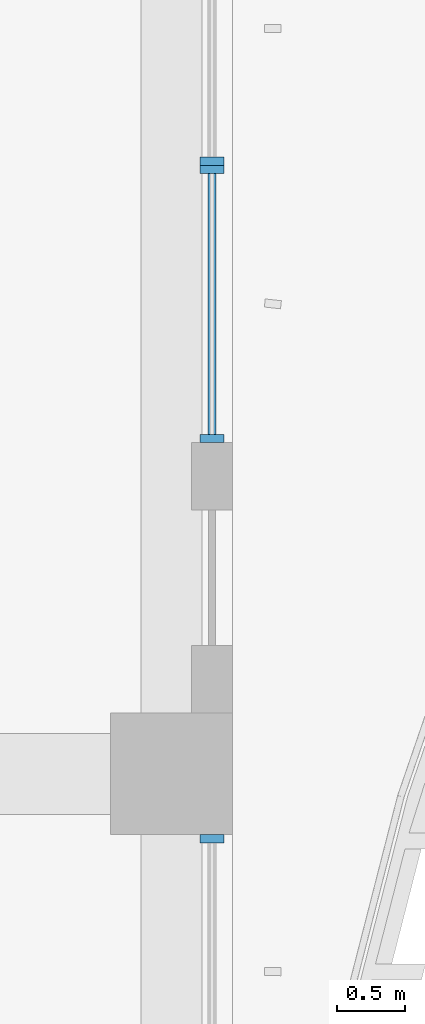
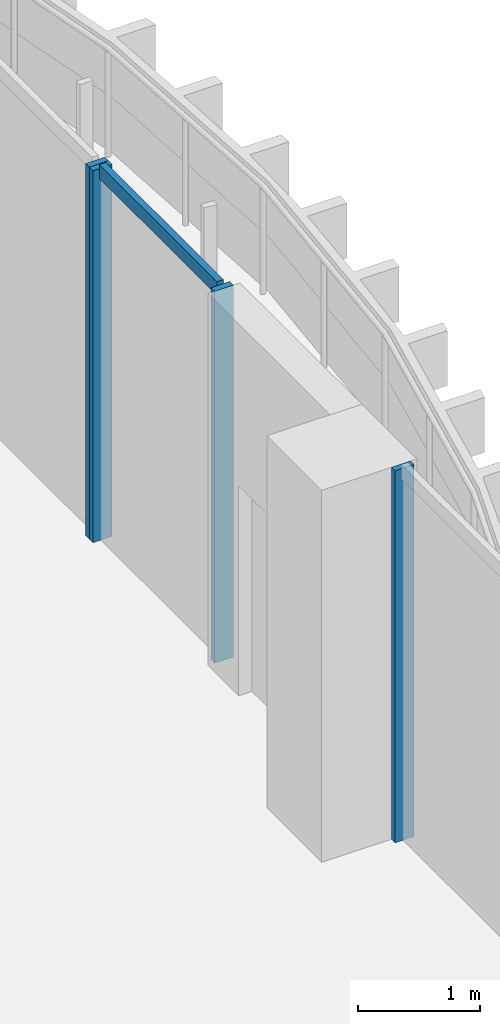
# One storey, part 6 of 27: 5 members, 3 elements without a shape of their own.
"""IFC4 building model written with IfcOpenShell, lengths in metres."""

from ifc_helpers import new_model, si_unit, direction, frame, origin, origin_2d, place, context, subcontext, project, spatial, rectangle, extrude, source, transform, mapped, material, material_profile, profile_set, type_object, element, aggregate, save


model = new_model("IFC4")

# Units and contexts
model_context = context("Model", 3, precision=1e-05, world=origin(), true_north=direction((0.0, 1.0)))
body_context = subcontext(model_context, "Body", "Model", "MODEL_VIEW")
ifc_project = project(units=[si_unit("LENGTHUNIT", "METRE"), si_unit("AREAUNIT", "SQUARE_METRE"), si_unit("VOLUMEUNIT", "CUBIC_METRE"), si_unit("PLANEANGLEUNIT", "RADIAN"), si_unit("MASSUNIT", "GRAM", prefix="KILO")], contexts=[model_context])

# Site, building, storey
site_placement = place(None, origin())
site = spatial("IfcSite", under=ifc_project, at=site_placement, CompositionType="ELEMENT")
building_placement = place(site_placement, origin())
building = spatial("IfcBuilding", under=site, at=building_placement, Name="Kilnfold Tower and Market Hall", CompositionType="ELEMENT")
storey_placement = place(building_placement, frame((0.0, 0.0, 47.0)))
storey = spatial("IfcBuildingStorey", under=building, at=storey_placement, Name="L10", CompositionType="ELEMENT", Elevation=47.0)

# Curtain wall, member
ifc_material_1 = material(Name="Aluminium and double glazing", Category="aluminium")
curtain_wall_type = type_object("IfcCurtainWallType", Name="CW OF1 VALLEY GLAZING", PredefinedType="NOTDEFINED", material=ifc_material_1)
curtain_wall_1_placement = place(storey_placement, origin())
curtain_wall_1 = element("IfcCurtainWall", 1, at=curtain_wall_1_placement, inside=storey, type_object=curtain_wall_type, Name="Curtain wall CW1 L10 E", PredefinedType="NOTDEFINED")
ifc_material_2 = material(Name="Aluminium", Category="aluminium")
ifc_material_profile_1 = material_profile(ifc_material_2, rectangle(XDim=0.06005859375, YDim=0.179931640625, at=origin_2d()), Name="MULLION 60x180")
ifc_profile_set_1 = profile_set([ifc_material_profile_1], Name="Aluminium")
member_type_1 = type_object("IfcMemberType", Name="MULLION 60X180", PredefinedType="MULLION", material=ifc_profile_set_1)
shared_shape_1 = source(origin(), body_context, "Body", "SweptSolid", [
    extrude(rectangle(XDim=0.06005859375, YDim=0.179931640625, at=origin_2d()), origin(), (0.0, 0.0, 1.0), 3.719970703125),
])
member_1_placement = place(storey_placement, frame((27.85009765625, -1.47998046875, 0.0), z_axis=(0.0, 0.0, 1.0), x_axis=(0.0, 1.0, 0.0)))
member_1 = element("IfcMember", 2, at=member_1_placement, type_object=member_type_1, Name="CW1 mullion 2", PredefinedType="MULLION", context=body_context, shape_type="MappedRepresentation", body=[
    mapped(shared_shape_1, transform((0.0, 0.0, 0.0))),
])
aggregate(curtain_wall_1, [member_1])

# Curtain wall, members
curtain_wall_2_placement = place(storey_placement, origin())
curtain_wall_2 = element("IfcCurtainWall", 3, at=curtain_wall_2_placement, inside=storey, type_object=curtain_wall_type, Name="Curtain wall CW1 L10 E", PredefinedType="NOTDEFINED")
member_2_placement = place(storey_placement, frame((27.85009765625, 1.47998046875, 0.0), z_axis=(0.0, 0.0, 1.0), x_axis=(0.0, 1.0, 0.0)))
member_2 = element("IfcMember", 4, at=member_2_placement, type_object=member_type_1, Name="CW1 mullion 1", PredefinedType="MULLION", context=body_context, shape_type="MappedRepresentation", body=[
    mapped(shared_shape_1, transform((0.0, 0.0, 0.0))),
])
member_3_placement = place(storey_placement, frame((27.85009765625, 3.469970703125, 0.0), z_axis=(0.0, 0.0, 1.0), x_axis=(0.0, 1.0, 0.0)))
member_3 = element("IfcMember", 5, at=member_3_placement, type_object=member_type_1, Name="CW1 mullion 2", PredefinedType="MULLION", context=body_context, shape_type="MappedRepresentation", body=[
    mapped(shared_shape_1, transform((0.0, 0.0, 0.0))),
])

# Curtain wall, member
curtain_wall_3_placement = place(storey_placement, origin())
curtain_wall_3 = element("IfcCurtainWall", 6, at=curtain_wall_3_placement, inside=storey, type_object=curtain_wall_type, Name="Curtain wall CW1 L10 E", PredefinedType="NOTDEFINED")
member_4_placement = place(storey_placement, frame((27.85009765625, 3.530029296875, 0.0), z_axis=(0.0, 0.0, 1.0), x_axis=(0.0, 1.0, 0.0)))
member_4 = element("IfcMember", 7, at=member_4_placement, type_object=member_type_1, Name="CW1 mullion 1", PredefinedType="MULLION", context=body_context, shape_type="MappedRepresentation", body=[
    mapped(shared_shape_1, transform((0.0, 0.0, 0.0))),
])
aggregate(curtain_wall_3, [member_4])

# Member
ifc_material_3 = material(Name="Aluminium", Category="aluminium")
ifc_material_profile_2 = material_profile(ifc_material_3, rectangle(XDim=0.06005859375, YDim=0.139892578125, at=origin_2d()), Name="TRANSOM 60x140")
ifc_profile_set_2 = profile_set([ifc_material_profile_2], Name="Aluminium")
member_type_2 = type_object("IfcMemberType", Name="TRANSOM 60X140", PredefinedType="USERDEFINED", material=ifc_profile_set_2)
shared_shape_2 = source(origin(), body_context, "Body", "SweptSolid", [
    extrude(rectangle(XDim=0.06005859375, YDim=0.139892578125, at=origin_2d()), origin(), (0.0, 0.0, 1.0), 1.929931640625),
])
member_5_placement = place(storey_placement, frame((27.85009765625, 1.510009765625, 3.68994140625), z_axis=(0.0, 1.0, 0.0), x_axis=(-1.0, 0.0, 0.0)))
member_5 = element("IfcMember", 8, at=member_5_placement, type_object=member_type_2, Name="CW1 transom 1.2", ObjectType="TRANSOM", PredefinedType="USERDEFINED", context=body_context, shape_type="MappedRepresentation", body=[
    mapped(shared_shape_2, transform((0.0, 0.0, 0.0))),
])

aggregate(curtain_wall_2, [member_2, member_3, member_5])

save(model, "model.ifc")
